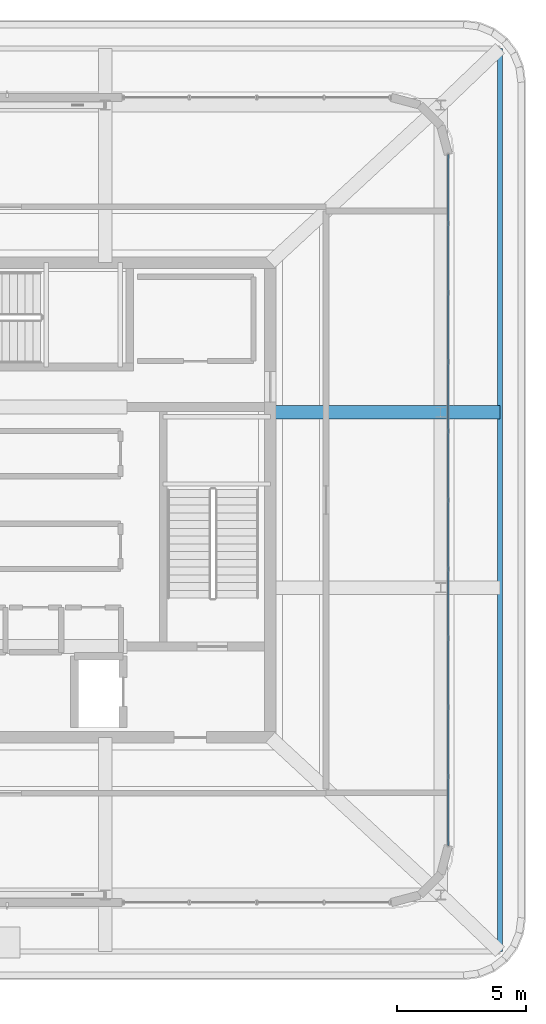
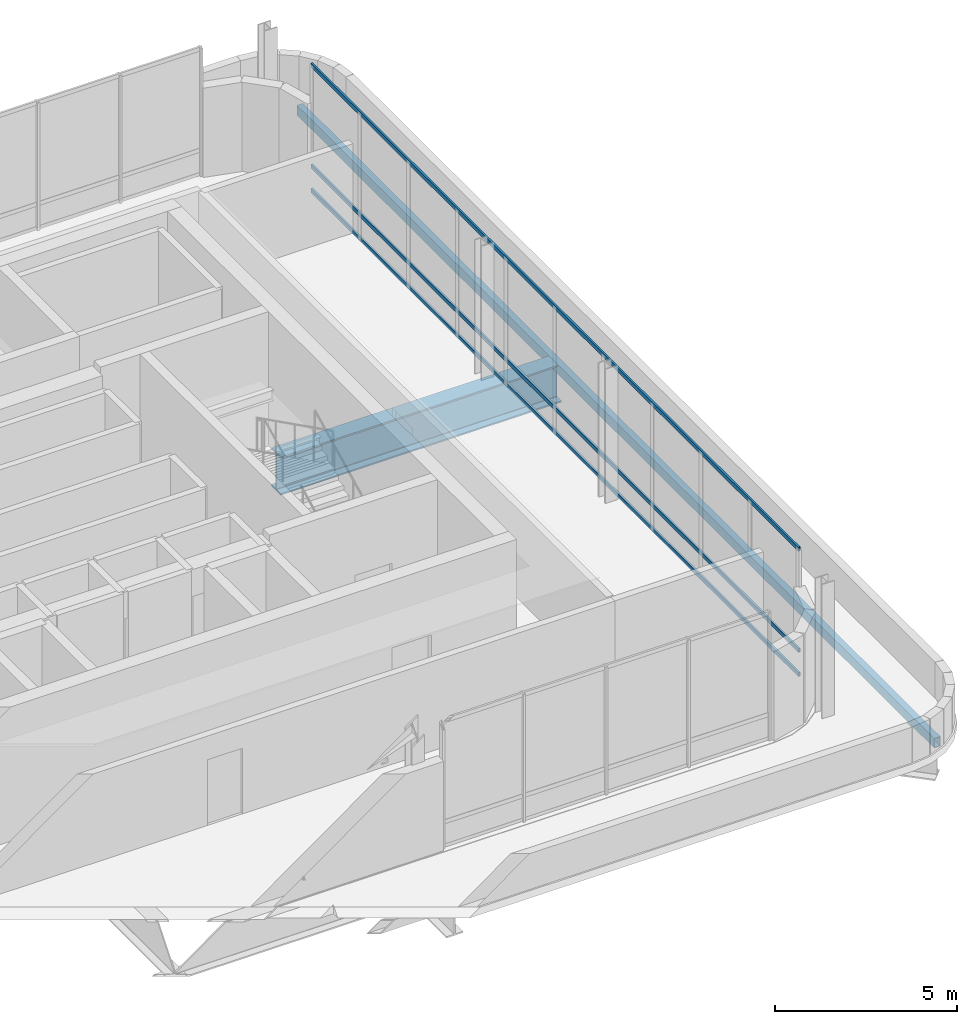
# One storey, part 15 of 28: 3 members, 2 beams, 1 element without a shape of its own.
"""IFC4 building model written with IfcOpenShell, lengths in metres."""

from ifc_helpers import new_model, si_unit, direction, frame, origin, origin_2d, place, context, subcontext, project, spatial, hollow_rectangle, i_section, extrude, material, material_profile, profile_set, type_object, element, aggregate, save


model = new_model("IFC4")

# Units and contexts
model_context = context("Model", 3, precision=1e-05, world=origin(), true_north=direction((0.0, 1.0)))
body_context = subcontext(model_context, "Body", "Model", "MODEL_VIEW")
ifc_project = project(units=[si_unit("LENGTHUNIT", "METRE"), si_unit("AREAUNIT", "SQUARE_METRE"), si_unit("VOLUMEUNIT", "CUBIC_METRE"), si_unit("PLANEANGLEUNIT", "RADIAN"), si_unit("MASSUNIT", "GRAM", prefix="KILO")], contexts=[model_context])

# Site, building, storey
site_placement = place(None, origin())
site = spatial("IfcSite", under=ifc_project, at=site_placement, CompositionType="ELEMENT")
building_placement = place(site_placement, origin())
building = spatial("IfcBuilding", under=site, at=building_placement, Name="Punatoya Terracotta Tower", CompositionType="ELEMENT")
storey_placement = place(building_placement, frame((0.0, 0.0, 352.800048828125)))
storey = spatial("IfcBuildingStorey", under=building, at=storey_placement, Name="L83", CompositionType="ELEMENT", Elevation=352.800048828125)

# Beams
ifc_material_1 = material(Name="Steel S355", Category="steel")
ifc_material_profile_1 = material_profile(ifc_material_1, hollow_rectangle(XDim=0.199951171875, YDim=0.320068359375, WallThickness=0.01611328125, at=origin_2d()))
ifc_profile_set_1 = profile_set([ifc_material_profile_1], Name="Steel S355")
beam_type_1 = type_object("IfcBeamType", Name="BM-CRN-320", PredefinedType="BEAM", material=ifc_profile_set_1)
beam_1_placement = place(storey_placement, frame((19.10009765625, -17.5, -0.43994140625), z_axis=(0.0, 1.0, 0.0), x_axis=(-1.0, 0.0, 0.0)))
element("IfcBeam", 1, at=beam_1_placement, inside=storey, type_object=beam_type_1, Name="BM-L83-OE", PredefinedType="BEAM", context=body_context, shape_type="SweptSolid", body=[
    extrude(hollow_rectangle(XDim=0.199951171875, YDim=0.320068359375, WallThickness=0.01611328125, at=origin_2d()), origin(), (0.0, 0.0, 1.0), 35.0),
])
ifc_material_2 = material(Name="Steel S460", Category="steel")
ifc_material_profile_2 = material_profile(ifc_material_2, i_section(OverallWidth=0.52001953125, OverallDepth=1.280029296875, WebThickness=0.031982421875, FlangeThickness=0.050048828125, FilletRadius=0.01806640625, at=origin_2d()))
ifc_profile_set_2 = profile_set([ifc_material_profile_2], Name="Steel S460")
beam_type_2 = type_object("IfcBeamType", Name="BM-TG-NCK", PredefinedType="BEAM", material=ifc_profile_set_2)
beam_2_placement = place(storey_placement, frame((10.199951171875, 3.39990234375, -0.920166015625), z_axis=(1.0, 0.0, 0.0), x_axis=(0.0, 1.0, 0.0)))
element("IfcBeam", 2, at=beam_2_placement, inside=storey, type_object=beam_type_2, Name="BM-L83-CE2", PredefinedType="BEAM", context=body_context, shape_type="SweptSolid", body=[
    extrude(i_section(OverallWidth=0.52001953125, OverallDepth=1.280029296875, WebThickness=0.031982421875, FlangeThickness=0.050048828125, FilletRadius=0.01806640625, at=origin_2d()), origin(), (0.0, 0.0, 1.0), 8.900146484375),
])

# Curtain wall, members
ifc_material_3 = material(Name="Aluminium 6063-T6 + Double Low-E Glass", Category="aluminium")
curtain_wall_type = type_object("IfcCurtainWallType", Name="CW-CRN", PredefinedType="NOTDEFINED", material=ifc_material_3)
curtain_wall_placement = place(storey_placement, origin())
curtain_wall = element("IfcCurtainWall", 3, at=curtain_wall_placement, inside=storey, type_object=curtain_wall_type, Name="L83 Curtain Wall CW-L83-E05-1", PredefinedType="NOTDEFINED")
ifc_material_4 = material(Name="Aluminium 6063-T6", Category="aluminium")
ifc_material_profile_3 = material_profile(ifc_material_4, hollow_rectangle(XDim=0.06201171875, YDim=0.135009765625, WallThickness=0.00390625, at=origin_2d()))
ifc_profile_set_3 = profile_set([ifc_material_profile_3], Name="Aluminium 6063-T6")
member_type = type_object("IfcMemberType", Name="CW-TRN-CRN", PredefinedType="USERDEFINED", material=ifc_profile_set_3)
member_1_placement = place(storey_placement, frame((17.10009765625, -13.386962890625, 0.0400390625), z_axis=(0.0, 1.0, 0.0), x_axis=(-1.0, 0.0, 0.0)))
member_1 = element("IfcMember", 4, at=member_1_placement, type_object=member_type, Name="CW-L83-E05-1 Transom 1", ObjectType="TRANSOM", PredefinedType="USERDEFINED", context=body_context, shape_type="SweptSolid", body=[
    extrude(hollow_rectangle(XDim=0.06201171875, YDim=0.135009765625, WallThickness=0.00390625, at=origin_2d()), origin(), (0.0, 0.0, 1.0), 26.77392578125),
])
member_2_placement = place(storey_placement, frame((17.10009765625, -13.386962890625, 0.849853515625), z_axis=(0.0, 1.0, 0.0), x_axis=(-1.0, 0.0, 0.0)))
member_2 = element("IfcMember", 5, at=member_2_placement, type_object=member_type, Name="CW-L83-E05-1 Transom 2", ObjectType="TRANSOM", PredefinedType="USERDEFINED", context=body_context, shape_type="SweptSolid", body=[
    extrude(hollow_rectangle(XDim=0.06201171875, YDim=0.135009765625, WallThickness=0.00390625, at=origin_2d()), origin(), (0.0, 0.0, 1.0), 26.77392578125),
])
member_3_placement = place(storey_placement, frame((17.10009765625, -13.386962890625, 4.239990234375), z_axis=(0.0, 1.0, 0.0), x_axis=(-1.0, 0.0, 0.0)))
member_3 = element("IfcMember", 6, at=member_3_placement, type_object=member_type, Name="CW-L83-E05-1 Transom 3", ObjectType="TRANSOM", PredefinedType="USERDEFINED", context=body_context, shape_type="SweptSolid", body=[
    extrude(hollow_rectangle(XDim=0.06201171875, YDim=0.135009765625, WallThickness=0.00390625, at=origin_2d()), origin(), (0.0, 0.0, 1.0), 26.77392578125),
])
aggregate(curtain_wall, [member_1, member_2, member_3])

save(model, "model.ifc")
